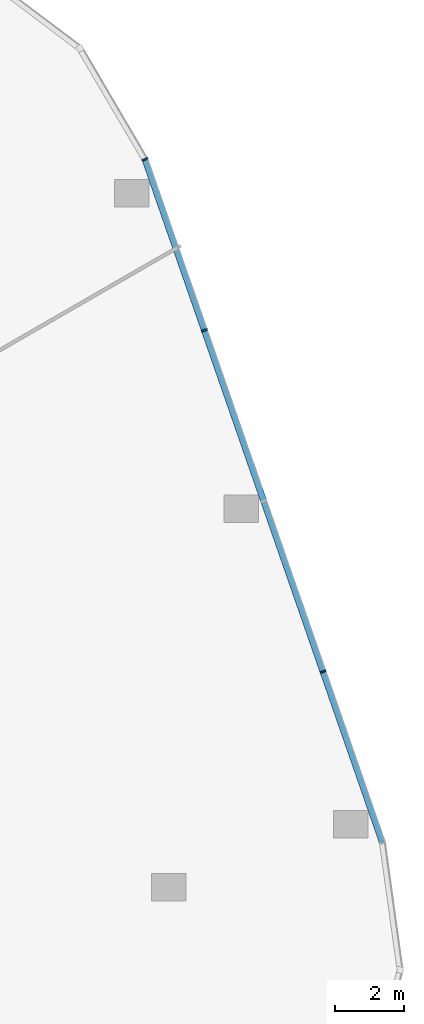
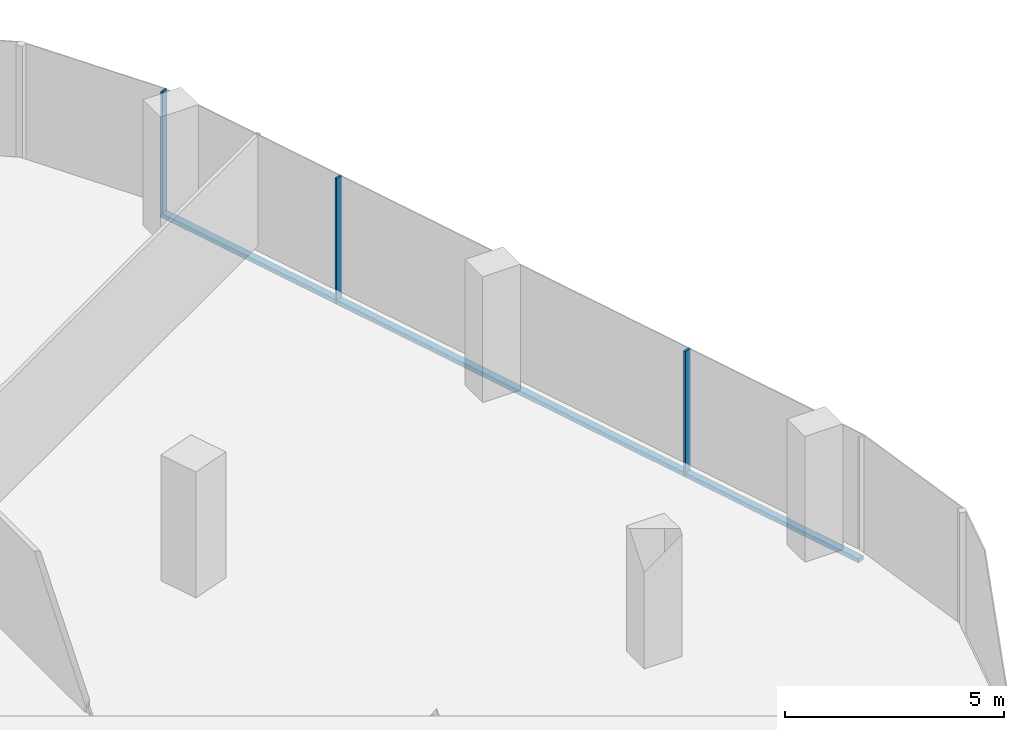
# One storey, part 9 of 24: 4 members, 1 element without a shape of its own.
"""IFC4 building model written with IfcOpenShell, lengths in metres."""

from ifc_helpers import new_model, si_unit, direction, frame, origin, origin_2d, place, context, subcontext, project, spatial, rectangle, extrude, material, material_profile, profile_set, type_object, element, aggregate, save


model = new_model("IFC4")

# Units and contexts
model_context = context("Model", 3, precision=1e-05, world=origin(), true_north=direction((0.0, 1.0)))
body_context = subcontext(model_context, "Body", "Model", "MODEL_VIEW")
ifc_project = project(units=[si_unit("LENGTHUNIT", "METRE"), si_unit("AREAUNIT", "SQUARE_METRE"), si_unit("VOLUMEUNIT", "CUBIC_METRE"), si_unit("PLANEANGLEUNIT", "RADIAN"), si_unit("MASSUNIT", "GRAM", prefix="KILO")], contexts=[model_context])

# Site, building, storey
site_placement = place(None, origin())
site = spatial("IfcSite", under=ifc_project, at=site_placement, CompositionType="ELEMENT")
building_placement = place(site_placement, origin())
building = spatial("IfcBuilding", under=site, at=building_placement, Name="Orlundy Tower", CompositionType="ELEMENT")
storey_placement = place(building_placement, frame((0.0, 0.0, 235.5)))
storey = spatial("IfcBuildingStorey", under=building, at=storey_placement, Name="L62", CompositionType="ELEMENT", Elevation=235.5)

# Curtain wall, members
ifc_material_1 = material(Name="Aluminium bronze anodised", Category="aluminium")
curtain_wall_type = type_object("IfcCurtainWallType", Name="CW1 wall", PredefinedType="NOTDEFINED", material=ifc_material_1)
curtain_wall_placement = place(storey_placement, origin())
curtain_wall = element("IfcCurtainWall", 1, at=curtain_wall_placement, inside=storey, type_object=curtain_wall_type, Name="CW1 run 023", PredefinedType="NOTDEFINED")
ifc_material_2 = material(Name="Aluminium bronze anodised", Category="aluminium")
ifc_material_profile_1 = material_profile(ifc_material_2, rectangle(XDim=0.179931640625, YDim=0.050048828125, at=origin_2d()), Name="CW1 mullion 50x180")
ifc_profile_set_1 = profile_set([ifc_material_profile_1], Name="Aluminium bronze anodised")
member_type_1 = type_object("IfcMemberType", Name="CW1 mullion 50x180", PredefinedType="MULLION", material=ifc_profile_set_1)
member_1_placement = place(storey_placement, frame((34.89013671875, 23.2529296875, -0.39990234375), z_axis=(0.0, 0.0, 1.0), x_axis=(0.907812384653, 0.419376530425, 0.0)))
member_1 = element("IfcMember", 2, at=member_1_placement, type_object=member_type_1, Name="CW1 mullion 45", PredefinedType="MULLION", context=body_context, shape_type="SweptSolid", body=[
    extrude(rectangle(XDim=0.179931640625, YDim=0.050048828125, at=origin_2d()), origin(), (0.0, 0.0, 1.0), 3.5),
])
member_2_placement = place(storey_placement, frame((36.616455078125, 18.28564453125, -0.39990234375), z_axis=(0.0, 0.0, 1.0), x_axis=(0.944577712924, 0.328287898416, 0.0)))
member_2 = element("IfcMember", 3, at=member_2_placement, type_object=member_type_1, Name="CW1 mullion 46", PredefinedType="MULLION", context=body_context, shape_type="SweptSolid", body=[
    extrude(rectangle(XDim=0.179931640625, YDim=0.050048828125, at=origin_2d()), origin(), (0.0, 0.0, 1.0), 3.5),
])
member_3_placement = place(storey_placement, frame((40.0634765625, 8.367431640625, -0.39990234375), z_axis=(0.0, 0.0, 1.0), x_axis=(0.944577712924, 0.328287898416, 0.0)))
member_3 = element("IfcMember", 4, at=member_3_placement, type_object=member_type_1, Name="CW1 mullion 48", PredefinedType="MULLION", context=body_context, shape_type="SweptSolid", body=[
    extrude(rectangle(XDim=0.179931640625, YDim=0.050048828125, at=origin_2d()), origin(), (0.0, 0.0, 1.0), 3.5),
])
ifc_material_3 = material(Name="Aluminium bronze anodised", Category="aluminium")
ifc_material_profile_2 = material_profile(ifc_material_3, rectangle(XDim=0.179931640625, YDim=0.1201171875, at=origin_2d()), Name="CW1 transom 180x120")
ifc_profile_set_2 = profile_set([ifc_material_profile_2], Name="Aluminium bronze anodised")
member_type_2 = type_object("IfcMemberType", Name="CW1 transom 180x120", PredefinedType="USERDEFINED", material=ifc_profile_set_2)
member_4_placement = place(storey_placement, frame((34.8984375, 23.229248046875, -0.340087890625), z_axis=(0.328284872243, -0.944578764665, 0.0), x_axis=(0.944578764665, 0.328284872243, 0.0)))
member_4 = element("IfcMember", 5, at=member_4_placement, type_object=member_type_2, Name="CW1 transom", ObjectType="TRANSOM", PredefinedType="USERDEFINED", context=body_context, shape_type="SweptSolid", body=[
    extrude(rectangle(XDim=0.179931640625, YDim=0.1201171875, at=origin_2d()), origin(), (0.0, 0.0, 1.0), 20.967529296875),
])
aggregate(curtain_wall, [member_1, member_2, member_3, member_4])

save(model, "model.ifc")
